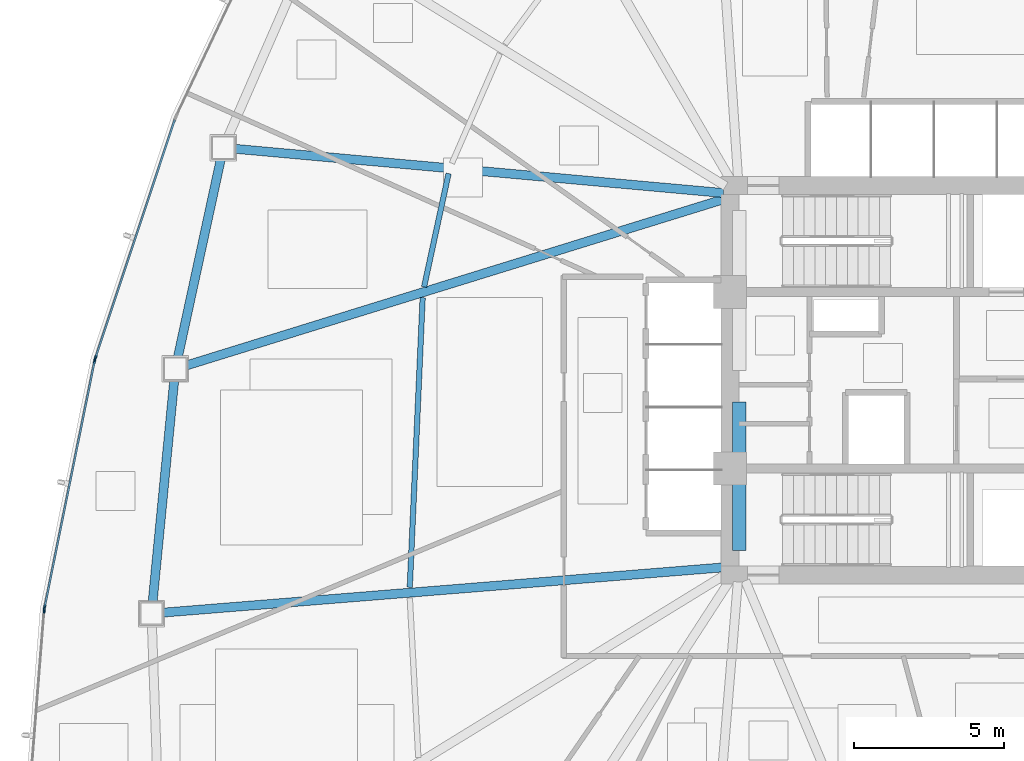
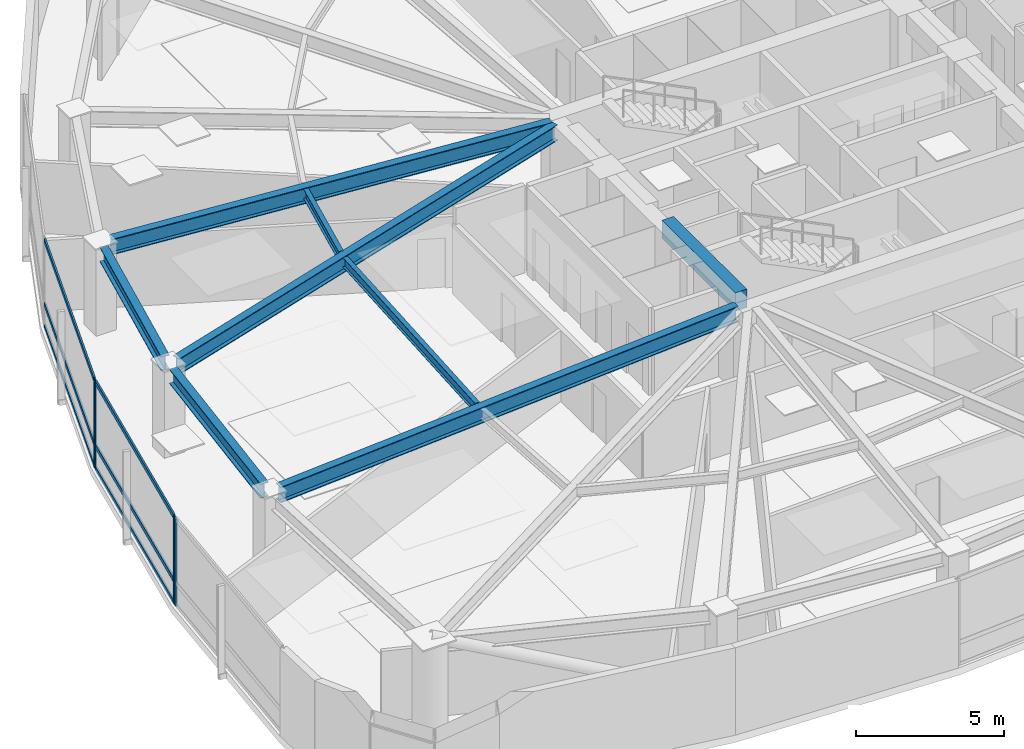
# One storey, part 4 of 18: 10 members, 8 beams, 3 elements without a shape of their own.
"""IFC4 building model written with IfcOpenShell, lengths in metres."""

import ifcopenshell
import ifcopenshell.guid

model = None  # the IFC model being written
_history = None  # IfcOwnerHistory: only IFC2X3 demands one
_inside = {}  # id of a spatial element -> (the spatial element, [elements in it])
_under = {}  # id of a project, library or spatial element -> (it, [spatial elements below it])
_declared = {}  # id of a project -> (the project, [libraries it declares])
_typed = {}  # id of a type object -> (the type object, [elements of that type])
_made_of = {}  # id of a material, layer set ... -> (it, [elements and type objects made of it])


def new_model(schema):
    """Start an empty IFC model of exactly this schema.

    Asked for "IFC4X3", IfcOpenShell would pick the latest addendum, in which some entities
    have other attributes; the version numbers below select the first issue.
    IFC2X3 requires an IfcOwnerHistory on every rooted entity: one is made here for all.
    """
    global model, _history
    if schema == "IFC4X3":
        model = ifcopenshell.file(schema_version=(4, 3, 0, 0))
    else:
        model = ifcopenshell.file(schema=schema)
    _inside.clear()
    _under.clear()
    _declared.clear()
    _typed.clear()
    _made_of.clear()
    _history = None
    if model.schema == "IFC2X3":
        org = make("IfcOrganization", Name="unknown")
        user = make(
            "IfcPersonAndOrganization",
            ThePerson=make("IfcPerson", FamilyName="unknown"),
            TheOrganization=org,
        )
        app = make(
            "IfcApplication",
            ApplicationDeveloper=org,
            Version="unknown",
            ApplicationFullName="unknown",
            ApplicationIdentifier="unknown",
        )
        _history = make(
            "IfcOwnerHistory",
            OwningUser=user,
            OwningApplication=app,
            ChangeAction="ADDED",
            CreationDate=0,
        )
    return model


def make(cls, **values):
    """One entity of the class cls with the attributes given. An attribute that is None is left unset."""
    return model.create_entity(
        cls, **{name: value for name, value in values.items() if value is not None}
    )


def rooted(cls, **values):
    """An entity with a GlobalId (a new one), such as an element, a storey or a relation."""
    return make(cls, GlobalId=ifcopenshell.guid.new(), OwnerHistory=_history, **values)


def si_unit(unit_type, name, prefix=None):
    """IfcSIUnit, for example si_unit("LENGTHUNIT", "METRE", prefix="MILLI")."""
    return make("IfcSIUnit", UnitType=unit_type, Prefix=prefix, Name=name)


def assignment(units):
    """IfcUnitAssignment: the units of a project."""
    return None if units is None else make("IfcUnitAssignment", Units=units)


def point(xyz):
    """IfcCartesianPoint."""
    return None if xyz is None else make("IfcCartesianPoint", Coordinates=xyz)


def direction(xyz):
    """IfcDirection."""
    return None if xyz is None else make("IfcDirection", DirectionRatios=xyz)


def frame(location, z_axis=None, x_axis=None):
    """IfcAxis2Placement3D, a coordinate frame: its origin and axes. An axis left out is left unset."""
    return make(
        "IfcAxis2Placement3D",
        Location=point(location),
        Axis=direction(z_axis),
        RefDirection=direction(x_axis),
    )


def frame_2d(location, x_axis=None):
    """IfcAxis2Placement2D, a coordinate frame in the plane: its origin and x axis."""
    return make(
        "IfcAxis2Placement2D", Location=point(location), RefDirection=direction(x_axis)
    )


def origin():
    """The frame at (0, 0, 0) with its axes left unset."""
    return frame((0.0, 0.0, 0.0))


def origin_2d():
    """The frame at (0, 0) in the plane with its x axis left unset."""
    return frame_2d((0.0, 0.0))


def place(relative_to, where):
    """IfcLocalPlacement: puts the frame where relative to a parent placement (None: the world)."""
    return make(
        "IfcLocalPlacement", PlacementRelTo=relative_to, RelativePlacement=where
    )


def context(
    kind, dimensions, precision=None, world=None, true_north=None, identifier=None
):
    """IfcGeometricRepresentationContext, for example the 3D "Model" context."""
    return make(
        "IfcGeometricRepresentationContext",
        ContextIdentifier=identifier,
        ContextType=kind,
        CoordinateSpaceDimension=dimensions,
        Precision=precision,
        WorldCoordinateSystem=world,
        TrueNorth=true_north,
    )


def subcontext(parent, identifier, kind, view, scale=None):
    """IfcGeometricRepresentationSubContext, for example "Body" below "Model"."""
    return make(
        "IfcGeometricRepresentationSubContext",
        ContextIdentifier=identifier,
        ContextType=kind,
        ParentContext=parent,
        TargetScale=scale,
        TargetView=view,
    )


def project(units=None, contexts=None):
    """IfcProject with its units and contexts."""
    return rooted(
        "IfcProject",
        Name="project",
        RepresentationContexts=contexts,
        UnitsInContext=assignment(units),
    )


def spatial(cls, under=None, at=None, **own):
    """A site, building, storey or space (cls), placed at a placement, below another one or the project."""
    s = rooted(cls, ObjectPlacement=at, **own)
    if under is not None:
        _under.setdefault(under.id(), (under, []))[1].append(s)
    return s


def profile(cls, at=None, kind="AREA", **sizes):
    """A parametric profile (cls). Its sizes go by their IFC names, for example OverallWidth=200.0."""
    return make(cls, ProfileType=kind, Position=at, **sizes)


def rectangle(**sizes):
    """IfcRectangleProfileDef."""
    return profile("IfcRectangleProfileDef", **sizes)


def hollow_rectangle(**sizes):
    """IfcRectangleHollowProfileDef."""
    return profile("IfcRectangleHollowProfileDef", **sizes)


def i_section(**sizes):
    """IfcIShapeProfileDef."""
    return profile("IfcIShapeProfileDef", **sizes)


def extrude(swept, where, along, depth):
    """IfcExtrudedAreaSolid: the profile swept, set in the frame where, extruded along a direction by depth."""
    return make(
        "IfcExtrudedAreaSolid",
        SweptArea=swept,
        Position=where,
        ExtrudedDirection=direction(along),
        Depth=depth,
    )


def shape(context_of_items, identifier, shape_type, items):
    """IfcShapeRepresentation: the items that make up one representation, for example the "Body"."""
    return make(
        "IfcShapeRepresentation",
        ContextOfItems=context_of_items,
        RepresentationIdentifier=identifier,
        RepresentationType=shape_type,
        Items=items,
    )


def source(mapping_origin, context_of_items, identifier, shape_type, items):
    """IfcRepresentationMap: a shape defined once, which mapped items show again and again."""
    return make(
        "IfcRepresentationMap",
        MappingOrigin=mapping_origin,
        MappedRepresentation=shape(context_of_items, identifier, shape_type, items),
    )


def transform(
    local_origin,
    x_axis=None,
    y_axis=None,
    z_axis=None,
    scale=None,
    scale2=None,
    scale3=None,
    uniform=True,
):
    """IfcCartesianTransformationOperator3D, or its non-uniform kind. x_axis, y_axis, z_axis: its Axis1, 2, 3."""
    if uniform:
        return make(
            "IfcCartesianTransformationOperator3D",
            Axis1=direction(x_axis),
            Axis2=direction(y_axis),
            LocalOrigin=point(local_origin),
            Scale=scale,
            Axis3=direction(z_axis),
        )
    return make(
        "IfcCartesianTransformationOperator3DnonUniform",
        Axis1=direction(x_axis),
        Axis2=direction(y_axis),
        LocalOrigin=point(local_origin),
        Scale=scale,
        Axis3=direction(z_axis),
        Scale2=scale2,
        Scale3=scale3,
    )


def mapped(mapping_source, mapping_target):
    """IfcMappedItem: shows the shape of a source again, moved by a transform."""
    return make(
        "IfcMappedItem", MappingSource=mapping_source, MappingTarget=mapping_target
    )


def material(Name=None, Category=None):
    """IfcMaterial."""
    return make("IfcMaterial", Name=Name, Category=Category)


def layer(
    of_material, thickness, ventilated=None, Name=None, Category=None, Priority=None
):
    """IfcMaterialLayer: one layer of a wall or slab, of a material (None: an air gap)."""
    return make(
        "IfcMaterialLayer",
        Material=of_material,
        LayerThickness=thickness,
        IsVentilated=ventilated,
        Name=Name,
        Category=Category,
        Priority=Priority,
    )


def layer_set(layers, Name=None):
    """IfcMaterialLayerSet."""
    return make("IfcMaterialLayerSet", MaterialLayers=layers, LayerSetName=Name)


def material_profile(
    of_material, cross_section, Name=None, Category=None, Priority=None
):
    """IfcMaterialProfile: a cross section and its material."""
    return make(
        "IfcMaterialProfile",
        Name=Name,
        Material=of_material,
        Profile=cross_section,
        Priority=Priority,
        Category=Category,
    )


def profile_set(profiles, Name=None, composite=None):
    """IfcMaterialProfileSet."""
    return make(
        "IfcMaterialProfileSet",
        Name=Name,
        MaterialProfiles=profiles,
        CompositeProfile=composite,
    )


def made_of(thing, what):
    """Note that an element or type object is made of a material, layer set ...; save() writes the relation."""
    if what is not None:
        _made_of.setdefault(what.id(), (what, []))[1].append(thing)
    return thing


def type_object(cls, material=None, **own):
    """A type object (cls), such as IfcWallType, which elements share."""
    return made_of(rooted(cls, **own), material)


def type_shapes(of_type, sources):
    """Give a type object the sources (RepresentationMaps) that its elements show as mapped items."""
    of_type.RepresentationMaps = sources


def element(
    cls,
    number,
    at=None,
    inside=None,
    cuts=None,
    type_object=None,
    material=None,
    context=None,
    identifier="Body",
    shape_type=None,
    held_by="IfcProductDefinitionShape",
    body=None,
    shapes=None,
    **own,
):
    """One element of the class cls, such as IfcWall. Its Tag is "e" and its number.

    at: its placement. inside: the storey or other place that contains it. cuts: it is an
    opening in that element (IfcRelVoidsElement). A single representation is given by context,
    identifier, shape_type and body (its items); several are given by shapes. held_by: the class
    of the entity that holds the representations. save() writes the other relations.
    """
    e = rooted(cls, Tag="e%d" % number, ObjectPlacement=at, **own)
    if body is not None:
        shapes = [shape(context, identifier, shape_type, body)]
    if shapes is not None:
        e.Representation = make(held_by, Representations=shapes)
    if inside is not None:
        _inside.setdefault(inside.id(), (inside, []))[1].append(e)
    if cuts is not None:
        rooted(
            "IfcRelVoidsElement", RelatingBuildingElement=cuts, RelatedOpeningElement=e
        )
    if type_object is not None:
        _typed.setdefault(type_object.id(), (type_object, []))[1].append(e)
    return made_of(e, material)


def aggregate(whole, parts):
    """IfcRelAggregates: a whole, such as a stair, and the parts it consists of."""
    return rooted("IfcRelAggregates", RelatingObject=whole, RelatedObjects=parts)


def save(model, path):
    """Write the relations noted so far, then the file.

    IfcRelAggregates (storeys below a building ...), IfcRelContainedInSpatialStructure (elements
    in a storey), IfcRelDefinesByType, IfcRelAssociatesMaterial and IfcRelDeclares: one each for
    every whole, place, type object, material and project.
    """
    for whole, parts in _under.values():
        aggregate(whole, parts)
    for where, things in _inside.values():
        rooted(
            "IfcRelContainedInSpatialStructure",
            RelatedElements=things,
            RelatingStructure=where,
        )
    for kind, things in _typed.values():
        rooted("IfcRelDefinesByType", RelatedObjects=things, RelatingType=kind)
    for what, things in _made_of.values():
        rooted("IfcRelAssociatesMaterial", RelatedObjects=things, RelatingMaterial=what)
    for by, libraries in _declared.values():
        rooted("IfcRelDeclares", RelatingContext=by, RelatedDefinitions=libraries)
    model.write(path)


model = new_model("IFC4")

# Units and contexts
model_context = context("Model", 3, precision=1e-05, world=origin(), true_north=direction((0.0, 1.0)))
body_context = subcontext(model_context, "Body", "Model", "MODEL_VIEW")
ifc_project = project(units=[si_unit("LENGTHUNIT", "METRE"), si_unit("AREAUNIT", "SQUARE_METRE"), si_unit("VOLUMEUNIT", "CUBIC_METRE"), si_unit("PLANEANGLEUNIT", "RADIAN"), si_unit("MASSUNIT", "GRAM", prefix="KILO")], contexts=[model_context])

# Site, building, storey
site_placement = place(None, origin())
site = spatial("IfcSite", under=ifc_project, at=site_placement, CompositionType="ELEMENT")
building_placement = place(site_placement, origin())
building = spatial("IfcBuilding", under=site, at=building_placement, Name="Tavelor Broadcast Tower", CompositionType="ELEMENT")
storey_placement = place(building_placement, frame((0.0, 0.0, 58.800048828125)))
storey = spatial("IfcBuildingStorey", under=building, at=storey_placement, Name="L13", CompositionType="ELEMENT", Elevation=58.800048828125)

# Beams
ifc_material_1 = material(Name="Concrete C40/50", Category="concrete")
ifc_material_profile_1 = material_profile(ifc_material_1, rectangle(XDim=0.449951171875, YDim=0.75, at=origin_2d()), Name="RC 450x750")
ifc_profile_set_1 = profile_set([ifc_material_profile_1], Name="Concrete C40/50")
beam_type_1 = type_object("IfcBeamType", Name="Basement Core Trim Beam 450x750", PredefinedType="BEAM", material=ifc_profile_set_1)
beam_1_placement = place(storey_placement, frame((43.39990234375, 39.327880859375, 3.224853515625), z_axis=(0.0, 1.0, 0.0), x_axis=(-1.0, 0.0, 0.0)))
element("IfcBeam", 1, at=beam_1_placement, inside=storey, type_object=beam_type_1, Name="L13 Core West-S Tie Girder", PredefinedType="BEAM", context=body_context, shape_type="SweptSolid", body=[
    extrude(rectangle(XDim=0.449951171875, YDim=0.75, at=origin_2d()), origin(), (0.0, 0.0, 1.0), 4.944091796875),
])
ifc_material_2 = material(Name="Steel S355", Category="steel")
ifc_material_profile_2 = material_profile(ifc_material_2, i_section(OverallWidth=0.179931640625, OverallDepth=0.39990234375, WebThickness=0.008544921875, FlangeThickness=0.013427734375, at=origin_2d()), Name="IPE 400")
ifc_profile_set_2 = profile_set([ifc_material_profile_2], Name="Steel S355")
beam_type_2 = type_object("IfcBeamType", Name="Composite Floor Joist T1 IPE 400", PredefinedType="JOIST", material=ifc_profile_set_2)
beam_2_placement = place(storey_placement, frame((33.70654296875, 51.897216796875, 3.39990234375), z_axis=(-0.211371868345, -0.977405715797, 0.0), x_axis=(0.977405715797, -0.211371868345, 0.0)))
element("IfcBeam", 2, at=beam_2_placement, inside=storey, type_object=beam_type_2, Name="L13 Secondary Composite Floor Joist 04", PredefinedType="JOIST", context=body_context, shape_type="SweptSolid", body=[
    extrude(i_section(OverallWidth=0.179931640625, OverallDepth=0.39990234375, WebThickness=0.008544921875, FlangeThickness=0.013427734375, at=origin_2d()), origin(), (0.0, 0.0, 1.0), 3.87158203125),
])
beam_3_placement = place(storey_placement, frame((32.841796875, 47.75537109375, 3.39990234375), z_axis=(-0.044449316538, -0.999011640703, 0.0), x_axis=(0.999011640703, -0.044449316538, 0.0)))
element("IfcBeam", 3, at=beam_3_placement, inside=storey, type_object=beam_type_2, Name="L13 Secondary Composite Floor Joist 05", PredefinedType="JOIST", context=body_context, shape_type="SweptSolid", body=[
    extrude(i_section(OverallWidth=0.179931640625, OverallDepth=0.39990234375, WebThickness=0.008544921875, FlangeThickness=0.013427734375, at=origin_2d()), origin(), (0.0, 0.0, 1.0), 9.67236328125),
])
ifc_material_profile_3 = material_profile(ifc_material_2, i_section(OverallWidth=0.300048828125, OverallDepth=0.60009765625, WebThickness=0.015380859375, FlangeThickness=0.030029296875, at=origin_2d()), Name="HEB 600")
ifc_profile_set_3 = profile_set([ifc_material_profile_3], Name="Steel S355")
beam_type_3 = type_object("IfcBeamType", Name="Perimeter Spandrel Beam T1 HEB 600", PredefinedType="SPANDREL", material=ifc_profile_set_3)
beam_4_placement = place(storey_placement, frame((26.10791015625, 52.3828125, 3.300048828125), z_axis=(-0.211857092451, -0.977300656082, 0.0), x_axis=(0.977300656082, -0.211857092451, 0.0)))
element("IfcBeam", 4, at=beam_4_placement, inside=storey, type_object=beam_type_3, Name="L13 Framed-Tube Ring Spandrel 04", PredefinedType="SPANDREL", context=body_context, shape_type="SweptSolid", body=[
    extrude(i_section(OverallWidth=0.300048828125, OverallDepth=0.60009765625, WebThickness=0.015380859375, FlangeThickness=0.030029296875, at=origin_2d()), origin(), (0.0, 0.0, 1.0), 6.780517578125),
])
beam_5_placement = place(storey_placement, frame((24.552734375, 44.99853515625, 3.300048828125), z_axis=(-0.096967474029, -0.995287550902, 0.0), x_axis=(0.995287550902, -0.096967474029, 0.0)))
element("IfcBeam", 5, at=beam_5_placement, inside=storey, type_object=beam_type_3, Name="L13 Framed-Tube Ring Spandrel 05", PredefinedType="SPANDREL", context=body_context, shape_type="SweptSolid", body=[
    extrude(i_section(OverallWidth=0.300048828125, OverallDepth=0.60009765625, WebThickness=0.015380859375, FlangeThickness=0.030029296875, at=origin_2d()), origin(), (0.0, 0.0, 1.0), 7.43505859375),
])
ifc_material_profile_4 = material_profile(ifc_material_2, i_section(OverallWidth=0.300048828125, OverallDepth=0.64990234375, WebThickness=0.01611328125, FlangeThickness=0.031005859375, at=origin_2d()), Name="HEB 650")
ifc_profile_set_4 = profile_set([ifc_material_profile_4], Name="Steel S355")
beam_type_4 = type_object("IfcBeamType", Name="Radial Floor Girder T1 HEB 650", PredefinedType="BEAM", material=ifc_profile_set_4)
beam_6_placement = place(storey_placement, frame((42.874267578125, 51.24755859375, 3.27490234375), z_axis=(-0.995926026359, 0.090173998583, 0.0), x_axis=(-0.090173998583, -0.995926026359, 0.0)))
element("IfcBeam", 6, at=beam_6_placement, inside=storey, type_object=beam_type_4, Name="L13 Radial Primary Floor Girder 04", PredefinedType="BEAM", context=body_context, shape_type="SweptSolid", body=[
    extrude(i_section(OverallWidth=0.300048828125, OverallDepth=0.64990234375, WebThickness=0.01611328125, FlangeThickness=0.031005859375, at=origin_2d()), origin(), (0.0, 0.0, 1.0), 16.369140625),
])
beam_7_placement = place(storey_placement, frame((42.8955078125, 51.0439453125, 3.27490234375), z_axis=(-0.955325842182, -0.29555462314, 0.0), x_axis=(0.29555462314, -0.955325842182, 0.0)))
element("IfcBeam", 7, at=beam_7_placement, inside=storey, type_object=beam_type_4, Name="L13 Radial Primary Floor Girder 05", PredefinedType="BEAM", context=body_context, shape_type="SweptSolid", body=[
    extrude(i_section(OverallWidth=0.300048828125, OverallDepth=0.64990234375, WebThickness=0.01611328125, FlangeThickness=0.031005859375, at=origin_2d()), origin(), (0.0, 0.0, 1.0), 18.777587890625),
])
beam_8_placement = place(storey_placement, frame((42.873779296875, 38.757568359375, 3.27490234375), z_axis=(-0.996753315624, -0.080516009538, 0.0), x_axis=(0.080516009538, -0.996753315624, 0.0)))
element("IfcBeam", 8, at=beam_8_placement, inside=storey, type_object=beam_type_4, Name="L13 Radial Primary Floor Girder 06", PredefinedType="BEAM", context=body_context, shape_type="SweptSolid", body=[
    extrude(i_section(OverallWidth=0.300048828125, OverallDepth=0.64990234375, WebThickness=0.01611328125, FlangeThickness=0.031005859375, at=origin_2d()), origin(), (0.0, 0.0, 1.0), 18.757080078125),
])

# Curtain wall, member
ifc_material_3 = material(Name="Architectural Anodized Aluminium", Category="aluminium")
ifc_layer = layer(ifc_material_3, 0.179931640625)
ifc_layer_set = layer_set([ifc_layer], Name="Architectural Anodized Aluminium")
curtain_wall_type = type_object("IfcCurtainWallType", Name="Tower Low-Zone Unitised Curtain Wall CW02", PredefinedType="NOTDEFINED", material=ifc_layer_set)
curtain_wall_1_placement = place(storey_placement, origin())
curtain_wall_1 = element("IfcCurtainWall", 9, at=curtain_wall_1_placement, inside=storey, type_object=curtain_wall_type, Name="L13 Curtain Wall CW02 Run 110", PredefinedType="NOTDEFINED")
ifc_material_profile_5 = material_profile(ifc_material_3, hollow_rectangle(XDim=0.06494140625, YDim=0.179931640625, WallThickness=0.02197265625, at=origin_2d()), Name="RHS 65x180x22")
ifc_profile_set_5 = profile_set([ifc_material_profile_5], Name="Architectural Anodized Aluminium")
member_type_1 = type_object("IfcMemberType", Name="CW02 Extruded Aluminium Mullion 65x180", PredefinedType="MULLION", material=ifc_profile_set_5)
shared_shape_1 = source(origin(), body_context, "Body", "SweptSolid", [
    extrude(hollow_rectangle(XDim=0.06494140625, YDim=0.179931640625, WallThickness=0.02197265625, at=origin_2d()), origin(), (0.0, 0.0, 1.0), 3.599853515625),
])
type_shapes(member_type_1, [shared_shape_1])
member_1_placement = place(storey_placement, frame((21.923828125, 45.746826171875, 0.0), z_axis=(0.0, 0.0, 1.0), x_axis=(0.948743496046, -0.3160471147, 0.0)))
member_1 = element("IfcMember", 10, at=member_1_placement, type_object=member_type_1, Name="CW02 mullion 2", PredefinedType="MULLION", context=body_context, shape_type="MappedRepresentation", body=[
    mapped(shared_shape_1, transform((0.0, 0.0, 0.0), scale=1.0)),
])

# Curtain wall, members
curtain_wall_2_placement = place(storey_placement, origin())
curtain_wall_2 = element("IfcCurtainWall", 11, at=curtain_wall_2_placement, inside=storey, type_object=curtain_wall_type, Name="L13 Curtain Wall CW02 Run 111", PredefinedType="NOTDEFINED")
member_2_placement = place(storey_placement, frame((21.899169921875, 45.655029296875, 0.0), z_axis=(0.0, 0.0, 1.0), x_axis=(0.98001397885, -0.198928633583, 0.0)))
member_2 = element("IfcMember", 12, at=member_2_placement, type_object=member_type_1, Name="CW02 mullion 1", PredefinedType="MULLION", context=body_context, shape_type="MappedRepresentation", body=[
    mapped(shared_shape_1, transform((0.0, 0.0, 0.0), scale=1.0)),
])
member_3_placement = place(storey_placement, frame((20.227294921875, 37.418701171875, 0.0), z_axis=(0.0, 0.0, 1.0), x_axis=(0.98001397885, -0.198928633583, 0.0)))
member_3 = element("IfcMember", 13, at=member_3_placement, type_object=member_type_1, Name="CW02 mullion 2", PredefinedType="MULLION", context=body_context, shape_type="MappedRepresentation", body=[
    mapped(shared_shape_1, transform((0.0, 0.0, 0.0), scale=1.0)),
])

# Curtain wall, member
curtain_wall_3_placement = place(storey_placement, origin())
curtain_wall_3 = element("IfcCurtainWall", 14, at=curtain_wall_3_placement, inside=storey, type_object=curtain_wall_type, Name="L13 Curtain Wall CW02 Run 112", PredefinedType="NOTDEFINED")
member_4_placement = place(storey_placement, frame((20.214111328125, 37.32470703125, 0.0), z_axis=(0.0, 0.0, 1.0), x_axis=(0.996885336722, -0.078864601875, 0.0)))
member_4 = element("IfcMember", 15, at=member_4_placement, type_object=member_type_1, Name="CW02 mullion 1", PredefinedType="MULLION", context=body_context, shape_type="MappedRepresentation", body=[
    mapped(shared_shape_1, transform((0.0, 0.0, 0.0), scale=1.0)),
])
aggregate(curtain_wall_3, [member_4])

# Member
ifc_material_profile_6 = material_profile(ifc_material_3, hollow_rectangle(XDim=0.06494140625, YDim=0.179931640625, WallThickness=0.02197265625, at=origin_2d()), Name="RHS 65x180x22")
ifc_profile_set_6 = profile_set([ifc_material_profile_6], Name="Architectural Anodized Aluminium")
member_type_2 = type_object("IfcMemberType", Name="CW02 Extruded Aluminium Transom 65x180", PredefinedType="USERDEFINED", material=ifc_profile_set_6)
shared_shape_2 = source(origin(), body_context, "Body", "SweptSolid", [
    extrude(hollow_rectangle(XDim=0.06494140625, YDim=0.179931640625, WallThickness=0.02197265625, at=origin_2d()), origin(), (0.0, 0.0, 1.0), 8.339599609375),
])
member_5_placement = place(storey_placement, frame((24.56982421875, 53.689697265625, 0.032470703125), z_axis=(-0.316052111035, -0.948741831644, 0.0), x_axis=(0.948741831644, -0.316052111035, 0.0)))
member_5 = element("IfcMember", 16, at=member_5_placement, type_object=member_type_2, Name="CW02 transom 1.1", ObjectType="TRANSOM", PredefinedType="USERDEFINED", context=body_context, shape_type="MappedRepresentation", body=[
    mapped(shared_shape_2, transform((0.0, 0.0, 0.0), scale=1.0)),
])

member_6_placement = place(storey_placement, frame((24.56982421875, 53.689697265625, 0.949951171875), z_axis=(-0.316052111035, -0.948741831644, 0.0), x_axis=(0.948741831644, -0.316052111035, 0.0)))
member_6 = element("IfcMember", 17, at=member_6_placement, type_object=member_type_2, Name="CW02 transom 1.2", ObjectType="TRANSOM", PredefinedType="USERDEFINED", context=body_context, shape_type="MappedRepresentation", body=[
    mapped(shared_shape_2, transform((0.0, 0.0, 0.0), scale=1.0)),
])

member_7_placement = place(storey_placement, frame((24.56982421875, 53.689697265625, 3.5673828125), z_axis=(-0.316052111035, -0.948741831644, 0.0), x_axis=(0.948741831644, -0.316052111035, 0.0)))
member_7 = element("IfcMember", 18, at=member_7_placement, type_object=member_type_2, Name="CW02 transom 1.3", ObjectType="TRANSOM", PredefinedType="USERDEFINED", context=body_context, shape_type="MappedRepresentation", body=[
    mapped(shared_shape_2, transform((0.0, 0.0, 0.0), scale=1.0)),
])

aggregate(curtain_wall_1, [member_1, member_5, member_6, member_7])

shared_shape_3 = source(origin(), body_context, "Body", "SweptSolid", [
    extrude(hollow_rectangle(XDim=0.06494140625, YDim=0.179931640625, WallThickness=0.02197265625, at=origin_2d()), origin(), (0.0, 0.0, 1.0), 8.33935546875),
])
type_shapes(member_type_2, [shared_shape_2, shared_shape_3])
member_8_placement = place(storey_placement, frame((21.892822265625, 45.623291015625, 0.032470703125), z_axis=(-0.198930325687, -0.980013635376, 0.0), x_axis=(0.980013635376, -0.198930325687, 0.0)))
member_8 = element("IfcMember", 19, at=member_8_placement, type_object=member_type_2, Name="CW02 transom 1.1", ObjectType="TRANSOM", PredefinedType="USERDEFINED", context=body_context, shape_type="MappedRepresentation", body=[
    mapped(shared_shape_3, transform((0.0, 0.0, 0.0), scale=1.0)),
])

member_9_placement = place(storey_placement, frame((21.892822265625, 45.623291015625, 0.949951171875), z_axis=(-0.198930325687, -0.980013635376, 0.0), x_axis=(0.980013635376, -0.198930325687, 0.0)))
member_9 = element("IfcMember", 20, at=member_9_placement, type_object=member_type_2, Name="CW02 transom 1.2", ObjectType="TRANSOM", PredefinedType="USERDEFINED", context=body_context, shape_type="MappedRepresentation", body=[
    mapped(shared_shape_3, transform((0.0, 0.0, 0.0), scale=1.0)),
])

member_10_placement = place(storey_placement, frame((21.892822265625, 45.623291015625, 3.5673828125), z_axis=(-0.198930325687, -0.980013635376, 0.0), x_axis=(0.980013635376, -0.198930325687, 0.0)))
member_10 = element("IfcMember", 21, at=member_10_placement, type_object=member_type_2, Name="CW02 transom 1.3", ObjectType="TRANSOM", PredefinedType="USERDEFINED", context=body_context, shape_type="MappedRepresentation", body=[
    mapped(shared_shape_3, transform((0.0, 0.0, 0.0), scale=1.0)),
])

aggregate(curtain_wall_2, [member_2, member_3, member_8, member_9, member_10])

save(model, "model.ifc")
